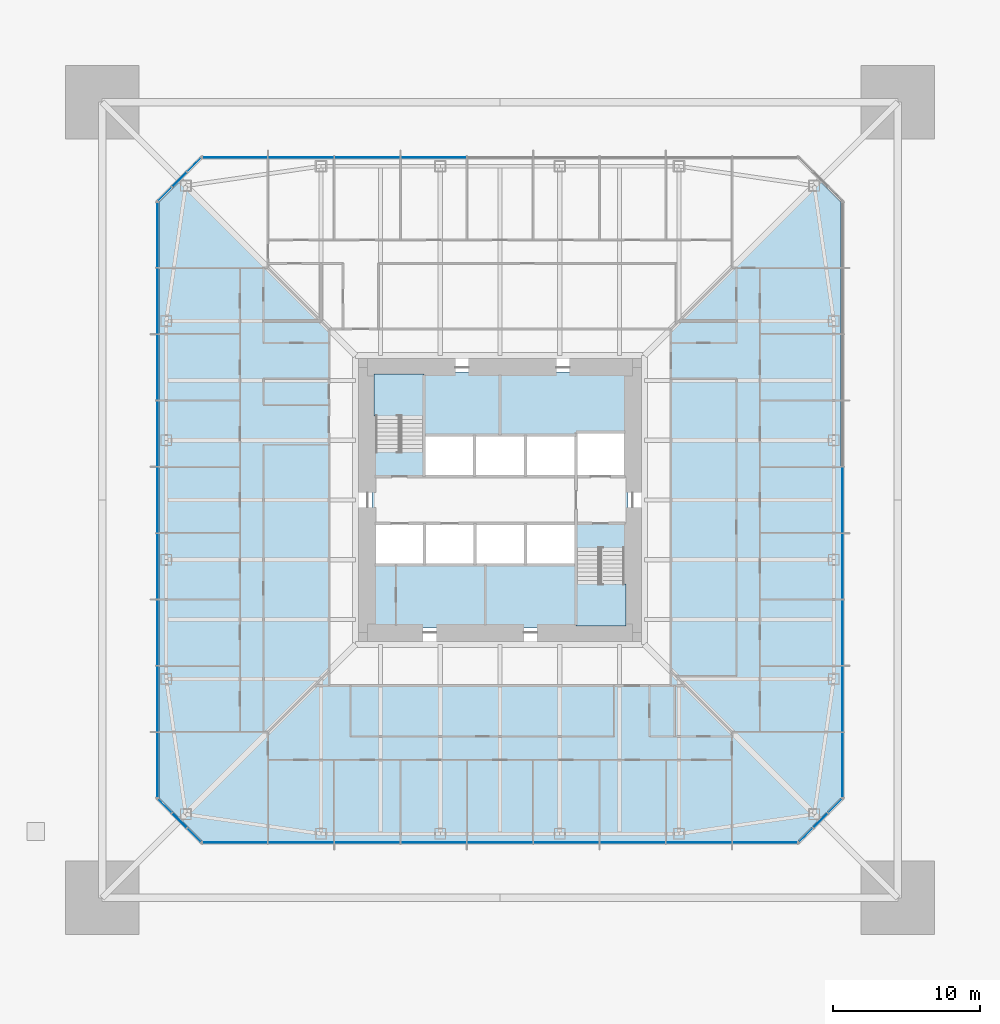
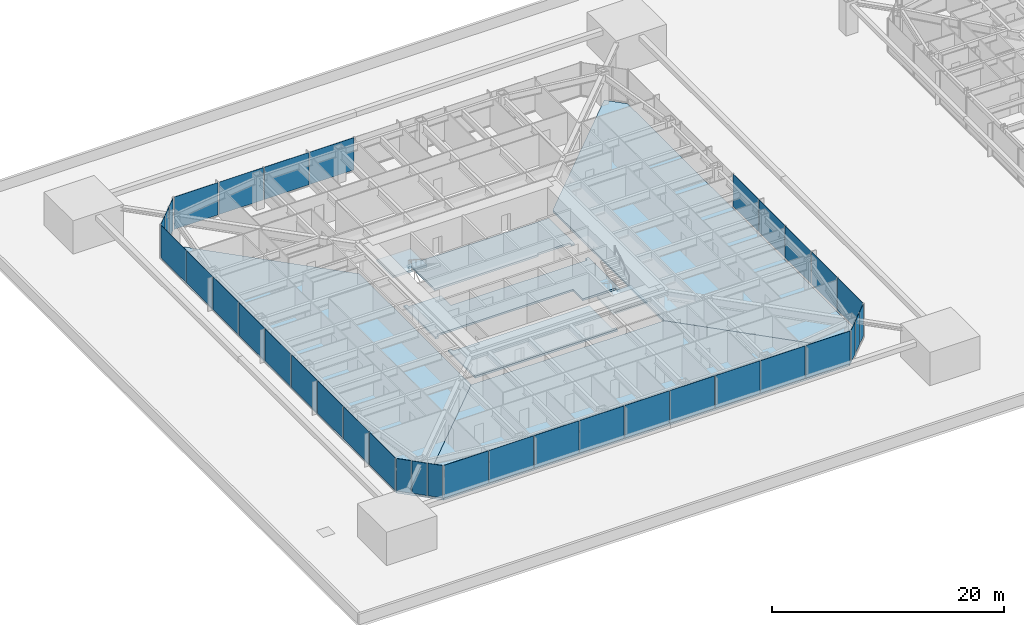
# One storey, part 13 of 31: 36 plates, 8 slabs, 9 elements without a shape of their own.
"""IFC4 building model written with IfcOpenShell, lengths in metres."""

import ifcopenshell
import ifcopenshell.guid

model = None  # the IFC model being written
_history = None  # IfcOwnerHistory: only IFC2X3 demands one
_inside = {}  # id of a spatial element -> (the spatial element, [elements in it])
_under = {}  # id of a project, library or spatial element -> (it, [spatial elements below it])
_declared = {}  # id of a project -> (the project, [libraries it declares])
_typed = {}  # id of a type object -> (the type object, [elements of that type])
_made_of = {}  # id of a material, layer set ... -> (it, [elements and type objects made of it])


def new_model(schema):
    """Start an empty IFC model of exactly this schema.

    Asked for "IFC4X3", IfcOpenShell would pick the latest addendum, in which some entities
    have other attributes; the version numbers below select the first issue.
    IFC2X3 requires an IfcOwnerHistory on every rooted entity: one is made here for all.
    """
    global model, _history
    if schema == "IFC4X3":
        model = ifcopenshell.file(schema_version=(4, 3, 0, 0))
    else:
        model = ifcopenshell.file(schema=schema)
    _inside.clear()
    _under.clear()
    _declared.clear()
    _typed.clear()
    _made_of.clear()
    _history = None
    if model.schema == "IFC2X3":
        org = make("IfcOrganization", Name="unknown")
        user = make(
            "IfcPersonAndOrganization",
            ThePerson=make("IfcPerson", FamilyName="unknown"),
            TheOrganization=org,
        )
        app = make(
            "IfcApplication",
            ApplicationDeveloper=org,
            Version="unknown",
            ApplicationFullName="unknown",
            ApplicationIdentifier="unknown",
        )
        _history = make(
            "IfcOwnerHistory",
            OwningUser=user,
            OwningApplication=app,
            ChangeAction="ADDED",
            CreationDate=0,
        )
    return model


def make(cls, **values):
    """One entity of the class cls with the attributes given. An attribute that is None is left unset."""
    return model.create_entity(
        cls, **{name: value for name, value in values.items() if value is not None}
    )


def rooted(cls, **values):
    """An entity with a GlobalId (a new one), such as an element, a storey or a relation."""
    return make(cls, GlobalId=ifcopenshell.guid.new(), OwnerHistory=_history, **values)


def si_unit(unit_type, name, prefix=None):
    """IfcSIUnit, for example si_unit("LENGTHUNIT", "METRE", prefix="MILLI")."""
    return make("IfcSIUnit", UnitType=unit_type, Prefix=prefix, Name=name)


def assignment(units):
    """IfcUnitAssignment: the units of a project."""
    return None if units is None else make("IfcUnitAssignment", Units=units)


def point(xyz):
    """IfcCartesianPoint."""
    return None if xyz is None else make("IfcCartesianPoint", Coordinates=xyz)


def direction(xyz):
    """IfcDirection."""
    return None if xyz is None else make("IfcDirection", DirectionRatios=xyz)


def frame(location, z_axis=None, x_axis=None):
    """IfcAxis2Placement3D, a coordinate frame: its origin and axes. An axis left out is left unset."""
    return make(
        "IfcAxis2Placement3D",
        Location=point(location),
        Axis=direction(z_axis),
        RefDirection=direction(x_axis),
    )


def frame_2d(location, x_axis=None):
    """IfcAxis2Placement2D, a coordinate frame in the plane: its origin and x axis."""
    return make(
        "IfcAxis2Placement2D", Location=point(location), RefDirection=direction(x_axis)
    )


def origin():
    """The frame at (0, 0, 0) with its axes left unset."""
    return frame((0.0, 0.0, 0.0))


def origin_2d():
    """The frame at (0, 0) in the plane with its x axis left unset."""
    return frame_2d((0.0, 0.0))


def place(relative_to, where):
    """IfcLocalPlacement: puts the frame where relative to a parent placement (None: the world)."""
    return make(
        "IfcLocalPlacement", PlacementRelTo=relative_to, RelativePlacement=where
    )


def context(
    kind, dimensions, precision=None, world=None, true_north=None, identifier=None
):
    """IfcGeometricRepresentationContext, for example the 3D "Model" context."""
    return make(
        "IfcGeometricRepresentationContext",
        ContextIdentifier=identifier,
        ContextType=kind,
        CoordinateSpaceDimension=dimensions,
        Precision=precision,
        WorldCoordinateSystem=world,
        TrueNorth=true_north,
    )


def subcontext(parent, identifier, kind, view, scale=None):
    """IfcGeometricRepresentationSubContext, for example "Body" below "Model"."""
    return make(
        "IfcGeometricRepresentationSubContext",
        ContextIdentifier=identifier,
        ContextType=kind,
        ParentContext=parent,
        TargetScale=scale,
        TargetView=view,
    )


def project(units=None, contexts=None):
    """IfcProject with its units and contexts."""
    return rooted(
        "IfcProject",
        Name="project",
        RepresentationContexts=contexts,
        UnitsInContext=assignment(units),
    )


def spatial(cls, under=None, at=None, **own):
    """A site, building, storey or space (cls), placed at a placement, below another one or the project."""
    s = rooted(cls, ObjectPlacement=at, **own)
    if under is not None:
        _under.setdefault(under.id(), (under, []))[1].append(s)
    return s


def polyline(points):
    """IfcPolyline through the points."""
    return make("IfcPolyline", Points=[point(p) for p in points])


def profile(cls, at=None, kind="AREA", **sizes):
    """A parametric profile (cls). Its sizes go by their IFC names, for example OverallWidth=200.0."""
    return make(cls, ProfileType=kind, Position=at, **sizes)


def rectangle(**sizes):
    """IfcRectangleProfileDef."""
    return profile("IfcRectangleProfileDef", **sizes)


def outline(outer, holes=None, kind="AREA"):
    """IfcArbitraryClosedProfileDef: a profile drawn as a closed curve; with holes, ...WithVoids."""
    if holes is None:
        return make("IfcArbitraryClosedProfileDef", ProfileType=kind, OuterCurve=outer)
    return make(
        "IfcArbitraryProfileDefWithVoids",
        ProfileType=kind,
        OuterCurve=outer,
        InnerCurves=holes,
    )


def extrude(swept, where, along, depth):
    """IfcExtrudedAreaSolid: the profile swept, set in the frame where, extruded along a direction by depth."""
    return make(
        "IfcExtrudedAreaSolid",
        SweptArea=swept,
        Position=where,
        ExtrudedDirection=direction(along),
        Depth=depth,
    )


def shape(context_of_items, identifier, shape_type, items):
    """IfcShapeRepresentation: the items that make up one representation, for example the "Body"."""
    return make(
        "IfcShapeRepresentation",
        ContextOfItems=context_of_items,
        RepresentationIdentifier=identifier,
        RepresentationType=shape_type,
        Items=items,
    )


def material(Name=None, Category=None):
    """IfcMaterial."""
    return make("IfcMaterial", Name=Name, Category=Category)


def layer(
    of_material, thickness, ventilated=None, Name=None, Category=None, Priority=None
):
    """IfcMaterialLayer: one layer of a wall or slab, of a material (None: an air gap)."""
    return make(
        "IfcMaterialLayer",
        Material=of_material,
        LayerThickness=thickness,
        IsVentilated=ventilated,
        Name=Name,
        Category=Category,
        Priority=Priority,
    )


def layer_set(layers, Name=None):
    """IfcMaterialLayerSet."""
    return make("IfcMaterialLayerSet", MaterialLayers=layers, LayerSetName=Name)


def constituent(of_material, Name=None, Category=None, fraction=None):
    """IfcMaterialConstituent: one of the materials an element consists of."""
    return make(
        "IfcMaterialConstituent",
        Name=Name,
        Material=of_material,
        Fraction=fraction,
        Category=Category,
    )


def constituent_set(constituents=None, Name=None):
    """IfcMaterialConstituentSet."""
    return make(
        "IfcMaterialConstituentSet", Name=Name, MaterialConstituents=constituents
    )


def made_of(thing, what):
    """Note that an element or type object is made of a material, layer set ...; save() writes the relation."""
    if what is not None:
        _made_of.setdefault(what.id(), (what, []))[1].append(thing)
    return thing


def type_object(cls, material=None, **own):
    """A type object (cls), such as IfcWallType, which elements share."""
    return made_of(rooted(cls, **own), material)


def element(
    cls,
    number,
    at=None,
    inside=None,
    cuts=None,
    type_object=None,
    material=None,
    context=None,
    identifier="Body",
    shape_type=None,
    held_by="IfcProductDefinitionShape",
    body=None,
    shapes=None,
    **own,
):
    """One element of the class cls, such as IfcWall. Its Tag is "e" and its number.

    at: its placement. inside: the storey or other place that contains it. cuts: it is an
    opening in that element (IfcRelVoidsElement). A single representation is given by context,
    identifier, shape_type and body (its items); several are given by shapes. held_by: the class
    of the entity that holds the representations. save() writes the other relations.
    """
    e = rooted(cls, Tag="e%d" % number, ObjectPlacement=at, **own)
    if body is not None:
        shapes = [shape(context, identifier, shape_type, body)]
    if shapes is not None:
        e.Representation = make(held_by, Representations=shapes)
    if inside is not None:
        _inside.setdefault(inside.id(), (inside, []))[1].append(e)
    if cuts is not None:
        rooted(
            "IfcRelVoidsElement", RelatingBuildingElement=cuts, RelatedOpeningElement=e
        )
    if type_object is not None:
        _typed.setdefault(type_object.id(), (type_object, []))[1].append(e)
    return made_of(e, material)


def aggregate(whole, parts):
    """IfcRelAggregates: a whole, such as a stair, and the parts it consists of."""
    return rooted("IfcRelAggregates", RelatingObject=whole, RelatedObjects=parts)


def save(model, path):
    """Write the relations noted so far, then the file.

    IfcRelAggregates (storeys below a building ...), IfcRelContainedInSpatialStructure (elements
    in a storey), IfcRelDefinesByType, IfcRelAssociatesMaterial and IfcRelDeclares: one each for
    every whole, place, type object, material and project.
    """
    for whole, parts in _under.values():
        aggregate(whole, parts)
    for where, things in _inside.values():
        rooted(
            "IfcRelContainedInSpatialStructure",
            RelatedElements=things,
            RelatingStructure=where,
        )
    for kind, things in _typed.values():
        rooted("IfcRelDefinesByType", RelatedObjects=things, RelatingType=kind)
    for what, things in _made_of.values():
        rooted("IfcRelAssociatesMaterial", RelatedObjects=things, RelatingMaterial=what)
    for by, libraries in _declared.values():
        rooted("IfcRelDeclares", RelatingContext=by, RelatedDefinitions=libraries)
    model.write(path)


model = new_model("IFC4")

# Units and contexts
model_context = context("Model", 3, precision=1e-05, world=origin(), true_north=direction((0.0, 1.0)))
body_context = subcontext(model_context, "Body", "Model", "MODEL_VIEW")
ifc_project = project(units=[si_unit("LENGTHUNIT", "METRE"), si_unit("AREAUNIT", "SQUARE_METRE"), si_unit("VOLUMEUNIT", "CUBIC_METRE"), si_unit("PLANEANGLEUNIT", "RADIAN"), si_unit("MASSUNIT", "GRAM", prefix="KILO")], contexts=[model_context])

# Site, building, storey
site_placement = place(None, origin())
site = spatial("IfcSite", under=ifc_project, at=site_placement, CompositionType="ELEMENT")
building_placement = place(site_placement, origin())
building = spatial("IfcBuilding", under=site, at=building_placement, Name="Iwan Alto Co-Living Towers", CompositionType="ELEMENT")
storey_placement = place(building_placement, frame((0.0, 0.0, 15.0)))
storey = spatial("IfcBuildingStorey", under=building, at=storey_placement, Name="L03", CompositionType="ELEMENT", Elevation=15.0)

# Slabs
ifc_material_1 = material(Name="Concrete f'c 30 MPa", Category="concrete")
ifc_layer_1 = layer(ifc_material_1, 0.199951171875)
ifc_layer_set_1 = layer_set([ifc_layer_1], Name="CORE FLOOR SLAB 200")
slab_type_1 = type_object("IfcSlabType", Name="CORE FLOOR SLAB 200", PredefinedType="FLOOR", material=ifc_layer_set_1)
slab_1_placement = place(storey_placement, frame((0.0, 0.0, -0.199951171875)))
element("IfcSlab", 1, at=slab_1_placement, inside=storey, type_object=slab_type_1, Name="T1 core floor L03", PredefinedType="FLOOR", context=body_context, shape_type="SweptSolid", body=[
    extrude(outline(polyline([(8.699951171875, -3.580078125), (8.39990234375, -3.580078125), (8.39990234375, -3.27001953125), (5.14990234375, -3.27001953125), (5.14990234375, -1.60009765625), (1.72509765625, -1.60009765625), (-1.699951171875, -1.60009765625), (-5.125, -1.60009765625), (-8.39990234375, -1.60009765625), (-8.39990234375, -1.909912109375), (-8.699951171875, -1.909912109375), (-8.699951171875, 3.580078125), (-8.39990234375, 3.580078125), (-8.39990234375, 3.27001953125), (-5.14990234375, 3.27001953125), (-5.14990234375, 1.60009765625), (-1.717041015625, 1.60009765625), (1.717041015625, 1.60009765625), (5.14990234375, 1.60009765625), (8.39990234375, 1.60009765625), (8.39990234375, 1.909912109375), (8.699951171875, 1.909912109375), (8.699951171875, -3.580078125)])), origin(), (0.0, 0.0, 1.0), 0.199951171875),
])
slab_2_placement = place(storey_placement, frame((0.0, 0.0, -0.199951171875)))
element("IfcSlab", 2, at=slab_2_placement, inside=storey, type_object=slab_type_1, Name="T1 core floor L03", PredefinedType="FLOOR", context=body_context, shape_type="SweptSolid", body=[
    extrude(outline(polyline([(-1.699951171875, -4.39990234375), (1.72509765625, -4.39990234375), (5.14990234375, -4.39990234375), (5.14990234375, -8.39990234375), (5.4599609375, -8.39990234375), (5.4599609375, -8.699951171875), (-8.699951171875, -8.699951171875), (-8.699951171875, -4.090087890625), (-8.39990234375, -4.090087890625), (-8.39990234375, -4.39990234375), (-5.125, -4.39990234375), (-1.699951171875, -4.39990234375)])), origin(), (0.0, 0.0, 1.0), 0.199951171875),
])
slab_3_placement = place(storey_placement, frame((0.0, 0.0, -0.199951171875)))
element("IfcSlab", 3, at=slab_3_placement, inside=storey, type_object=slab_type_1, Name="T1 core floor L03", PredefinedType="FLOOR", context=body_context, shape_type="SweptSolid", body=[
    extrude(outline(polyline([(1.717041015625, 4.39990234375), (-1.717041015625, 4.39990234375), (-5.14990234375, 4.39990234375), (-5.14990234375, 8.39990234375), (-5.4599609375, 8.39990234375), (-5.4599609375, 8.699951171875), (8.699951171875, 8.699951171875), (8.699951171875, 4.2900390625), (8.39990234375, 4.2900390625), (8.39990234375, 4.60009765625), (5.14990234375, 4.60009765625), (5.14990234375, 4.39990234375), (1.717041015625, 4.39990234375)])), origin(), (0.0, 0.0, 1.0), 0.199951171875),
])

# Curtain wall, plates
ifc_material_2 = material(Name="Bronze aluminium unitised frame", Category="aluminium")
curtain_wall_type_1 = type_object("IfcCurtainWallType", Name="CURTAIN WALL CW-A", PredefinedType="NOTDEFINED", material=ifc_material_2)
curtain_wall_1_placement = place(storey_placement, origin())
curtain_wall_1 = element("IfcCurtainWall", 4, at=curtain_wall_1_placement, inside=storey, type_object=curtain_wall_type_1, Name="T1 curtain wall S L03", PredefinedType="NOTDEFINED")
ifc_material_3 = material(Name="Bronze-tinted insulating glass", Category="glass")
ifc_layer_2 = layer(ifc_material_3, 0.031982421875)
ifc_layer_set_2 = layer_set([ifc_layer_2], Name="CW-A PANEL TINTED IGU 32")
plate_type_1 = type_object("IfcPlateType", Name="CW-A PANEL TINTED IGU 32", PredefinedType="CURTAIN_PANEL", material=ifc_layer_set_2)
plate_1_placement = place(storey_placement, frame((-17.97998046875, -23.25, 0.10009765625), z_axis=(0.0, 0.0, 1.0), x_axis=(1.0, 0.0, 0.0)))
plate_1 = element("IfcPlate", 5, at=plate_1_placement, type_object=plate_type_1, Name="CW-A panel 1.1", PredefinedType="CURTAIN_PANEL", context=body_context, shape_type="SweptSolid", body=[
    extrude(rectangle(XDim=4.3798828125, YDim=0.031982421875, at=origin_2d()), origin(), (0.0, 0.0, 1.0), 3.39990234375),
])
plate_2_placement = place(storey_placement, frame((-13.5, -23.25, 0.10009765625), z_axis=(0.0, 0.0, 1.0), x_axis=(1.0, 0.0, 0.0)))
plate_2 = element("IfcPlate", 6, at=plate_2_placement, type_object=plate_type_1, Name="CW-A panel 2.1", PredefinedType="CURTAIN_PANEL", context=body_context, shape_type="SweptSolid", body=[
    extrude(rectangle(XDim=4.419921875, YDim=0.031982421875, at=origin_2d()), origin(), (0.0, 0.0, 1.0), 3.39990234375),
])
plate_3_placement = place(storey_placement, frame((-9.0, -23.25, 0.10009765625), z_axis=(0.0, 0.0, 1.0), x_axis=(1.0, 0.0, 0.0)))
plate_3 = element("IfcPlate", 7, at=plate_3_placement, type_object=plate_type_1, Name="CW-A panel 3.1", PredefinedType="CURTAIN_PANEL", context=body_context, shape_type="SweptSolid", body=[
    extrude(rectangle(XDim=4.419921875, YDim=0.031982421875, at=origin_2d()), origin(), (0.0, 0.0, 1.0), 3.39990234375),
])
plate_4_placement = place(storey_placement, frame((-4.5, -23.25, 0.10009765625), z_axis=(0.0, 0.0, 1.0), x_axis=(1.0, 0.0, 0.0)))
plate_4 = element("IfcPlate", 8, at=plate_4_placement, type_object=plate_type_1, Name="CW-A panel 4.1", PredefinedType="CURTAIN_PANEL", context=body_context, shape_type="SweptSolid", body=[
    extrude(rectangle(XDim=4.419921875, YDim=0.031982421875, at=origin_2d()), origin(), (0.0, 0.0, 1.0), 3.39990234375),
])
plate_5_placement = place(storey_placement, frame((0.0, -23.25, 0.10009765625), z_axis=(0.0, 0.0, 1.0), x_axis=(1.0, 0.0, 0.0)))
plate_5 = element("IfcPlate", 9, at=plate_5_placement, type_object=plate_type_1, Name="CW-A panel 5.1", PredefinedType="CURTAIN_PANEL", context=body_context, shape_type="SweptSolid", body=[
    extrude(rectangle(XDim=4.419921875, YDim=0.031982421875, at=origin_2d()), origin(), (0.0, 0.0, 1.0), 3.39990234375),
])
plate_6_placement = place(storey_placement, frame((4.5, -23.25, 0.10009765625), z_axis=(0.0, 0.0, 1.0), x_axis=(1.0, 0.0, 0.0)))
plate_6 = element("IfcPlate", 10, at=plate_6_placement, type_object=plate_type_1, Name="CW-A panel 6.1", PredefinedType="CURTAIN_PANEL", context=body_context, shape_type="SweptSolid", body=[
    extrude(rectangle(XDim=4.419921875, YDim=0.031982421875, at=origin_2d()), origin(), (0.0, 0.0, 1.0), 3.39990234375),
])
plate_7_placement = place(storey_placement, frame((9.0, -23.25, 0.10009765625), z_axis=(0.0, 0.0, 1.0), x_axis=(1.0, 0.0, 0.0)))
plate_7 = element("IfcPlate", 11, at=plate_7_placement, type_object=plate_type_1, Name="CW-A panel 7.1", PredefinedType="CURTAIN_PANEL", context=body_context, shape_type="SweptSolid", body=[
    extrude(rectangle(XDim=4.419921875, YDim=0.031982421875, at=origin_2d()), origin(), (0.0, 0.0, 1.0), 3.39990234375),
])
plate_8_placement = place(storey_placement, frame((13.5, -23.25, 0.10009765625), z_axis=(0.0, 0.0, 1.0), x_axis=(1.0, 0.0, 0.0)))
plate_8 = element("IfcPlate", 12, at=plate_8_placement, type_object=plate_type_1, Name="CW-A panel 8.1", PredefinedType="CURTAIN_PANEL", context=body_context, shape_type="SweptSolid", body=[
    extrude(rectangle(XDim=4.419921875, YDim=0.031982421875, at=origin_2d()), origin(), (0.0, 0.0, 1.0), 3.39990234375),
])
plate_9_placement = place(storey_placement, frame((17.97998046875, -23.25, 0.10009765625), z_axis=(0.0, 0.0, 1.0), x_axis=(1.0, 0.0, 0.0)))
plate_9 = element("IfcPlate", 13, at=plate_9_placement, type_object=plate_type_1, Name="CW-A panel 9.1", PredefinedType="CURTAIN_PANEL", context=body_context, shape_type="SweptSolid", body=[
    extrude(rectangle(XDim=4.3798828125, YDim=0.031982421875, at=origin_2d()), origin(), (0.0, 0.0, 1.0), 3.39990234375),
])
aggregate(curtain_wall_1, [plate_1, plate_2, plate_3, plate_4, plate_5, plate_6, plate_7, plate_8, plate_9])

curtain_wall_2_placement = place(storey_placement, origin())
curtain_wall_2 = element("IfcCurtainWall", 14, at=curtain_wall_2_placement, inside=storey, type_object=curtain_wall_type_1, Name="T1 curtain wall E L03", PredefinedType="NOTDEFINED")
plate_10_placement = place(storey_placement, frame((23.25, -17.97998046875, 0.10009765625), z_axis=(0.0, 0.0, 1.0), x_axis=(0.0, 1.0, 0.0)))
plate_10 = element("IfcPlate", 15, at=plate_10_placement, type_object=plate_type_1, Name="CW-A panel 1.1", PredefinedType="CURTAIN_PANEL", context=body_context, shape_type="SweptSolid", body=[
    extrude(rectangle(XDim=4.3798828125, YDim=0.031982421875, at=origin_2d()), origin(), (0.0, 0.0, 1.0), 3.39990234375),
])
plate_11_placement = place(storey_placement, frame((23.25, -13.5, 0.10009765625), z_axis=(0.0, 0.0, 1.0), x_axis=(0.0, 1.0, 0.0)))
plate_11 = element("IfcPlate", 16, at=plate_11_placement, type_object=plate_type_1, Name="CW-A panel 2.1", PredefinedType="CURTAIN_PANEL", context=body_context, shape_type="SweptSolid", body=[
    extrude(rectangle(XDim=4.419921875, YDim=0.031982421875, at=origin_2d()), origin(), (0.0, 0.0, 1.0), 3.39990234375),
])
plate_12_placement = place(storey_placement, frame((23.25, -9.0, 0.10009765625), z_axis=(0.0, 0.0, 1.0), x_axis=(0.0, 1.0, 0.0)))
plate_12 = element("IfcPlate", 17, at=plate_12_placement, type_object=plate_type_1, Name="CW-A panel 3.1", PredefinedType="CURTAIN_PANEL", context=body_context, shape_type="SweptSolid", body=[
    extrude(rectangle(XDim=4.419921875, YDim=0.031982421875, at=origin_2d()), origin(), (0.0, 0.0, 1.0), 3.39990234375),
])
plate_13_placement = place(storey_placement, frame((23.25, -4.5, 0.10009765625), z_axis=(0.0, 0.0, 1.0), x_axis=(0.0, 1.0, 0.0)))
plate_13 = element("IfcPlate", 18, at=plate_13_placement, type_object=plate_type_1, Name="CW-A panel 4.1", PredefinedType="CURTAIN_PANEL", context=body_context, shape_type="SweptSolid", body=[
    extrude(rectangle(XDim=4.419921875, YDim=0.031982421875, at=origin_2d()), origin(), (0.0, 0.0, 1.0), 3.39990234375),
])
plate_14_placement = place(storey_placement, frame((23.25, 0.0, 0.10009765625), z_axis=(0.0, 0.0, 1.0), x_axis=(0.0, 1.0, 0.0)))
plate_14 = element("IfcPlate", 19, at=plate_14_placement, type_object=plate_type_1, Name="CW-A panel 5.1", PredefinedType="CURTAIN_PANEL", context=body_context, shape_type="SweptSolid", body=[
    extrude(rectangle(XDim=4.419921875, YDim=0.031982421875, at=origin_2d()), origin(), (0.0, 0.0, 1.0), 3.39990234375),
])
aggregate(curtain_wall_2, [plate_10, plate_11, plate_12, plate_13, plate_14])

curtain_wall_3_placement = place(storey_placement, origin())
curtain_wall_3 = element("IfcCurtainWall", 20, at=curtain_wall_3_placement, inside=storey, type_object=curtain_wall_type_1, Name="T1 curtain wall N L03", PredefinedType="NOTDEFINED")
plate_15_placement = place(storey_placement, frame((-4.5, 23.25, 0.10009765625), z_axis=(0.0, 0.0, 1.0), x_axis=(-1.0, 0.0, 0.0)))
plate_15 = element("IfcPlate", 21, at=plate_15_placement, type_object=plate_type_1, Name="CW-A panel 6.1", PredefinedType="CURTAIN_PANEL", context=body_context, shape_type="SweptSolid", body=[
    extrude(rectangle(XDim=4.419921875, YDim=0.031982421875, at=origin_2d()), origin(), (0.0, 0.0, 1.0), 3.39990234375),
])
plate_16_placement = place(storey_placement, frame((-9.0, 23.25, 0.10009765625), z_axis=(0.0, 0.0, 1.0), x_axis=(-1.0, 0.0, 0.0)))
plate_16 = element("IfcPlate", 22, at=plate_16_placement, type_object=plate_type_1, Name="CW-A panel 7.1", PredefinedType="CURTAIN_PANEL", context=body_context, shape_type="SweptSolid", body=[
    extrude(rectangle(XDim=4.419921875, YDim=0.031982421875, at=origin_2d()), origin(), (0.0, 0.0, 1.0), 3.39990234375),
])
plate_17_placement = place(storey_placement, frame((-13.5, 23.25, 0.10009765625), z_axis=(0.0, 0.0, 1.0), x_axis=(-1.0, 0.0, 0.0)))
plate_17 = element("IfcPlate", 23, at=plate_17_placement, type_object=plate_type_1, Name="CW-A panel 8.1", PredefinedType="CURTAIN_PANEL", context=body_context, shape_type="SweptSolid", body=[
    extrude(rectangle(XDim=4.419921875, YDim=0.031982421875, at=origin_2d()), origin(), (0.0, 0.0, 1.0), 3.39990234375),
])
plate_18_placement = place(storey_placement, frame((-17.97998046875, 23.25, 0.10009765625), z_axis=(0.0, 0.0, 1.0), x_axis=(-1.0, 0.0, 0.0)))
plate_18 = element("IfcPlate", 24, at=plate_18_placement, type_object=plate_type_1, Name="CW-A panel 9.1", PredefinedType="CURTAIN_PANEL", context=body_context, shape_type="SweptSolid", body=[
    extrude(rectangle(XDim=4.3798828125, YDim=0.031982421875, at=origin_2d()), origin(), (0.0, 0.0, 1.0), 3.39990234375),
])
aggregate(curtain_wall_3, [plate_15, plate_16, plate_17, plate_18])

curtain_wall_4_placement = place(storey_placement, origin())
curtain_wall_4 = element("IfcCurtainWall", 25, at=curtain_wall_4_placement, inside=storey, type_object=curtain_wall_type_1, Name="T1 curtain wall W L03", PredefinedType="NOTDEFINED")
plate_19_placement = place(storey_placement, frame((-23.25, 17.97998046875, 0.10009765625), z_axis=(0.0, 0.0, 1.0), x_axis=(0.0, -1.0, 0.0)))
plate_19 = element("IfcPlate", 26, at=plate_19_placement, type_object=plate_type_1, Name="CW-A panel 1.1", PredefinedType="CURTAIN_PANEL", context=body_context, shape_type="SweptSolid", body=[
    extrude(rectangle(XDim=4.3798828125, YDim=0.031982421875, at=origin_2d()), origin(), (0.0, 0.0, 1.0), 3.39990234375),
])
plate_20_placement = place(storey_placement, frame((-23.25, 13.5, 0.10009765625), z_axis=(0.0, 0.0, 1.0), x_axis=(0.0, -1.0, 0.0)))
plate_20 = element("IfcPlate", 27, at=plate_20_placement, type_object=plate_type_1, Name="CW-A panel 2.1", PredefinedType="CURTAIN_PANEL", context=body_context, shape_type="SweptSolid", body=[
    extrude(rectangle(XDim=4.419921875, YDim=0.031982421875, at=origin_2d()), origin(), (0.0, 0.0, 1.0), 3.39990234375),
])
plate_21_placement = place(storey_placement, frame((-23.25, 9.0, 0.10009765625), z_axis=(0.0, 0.0, 1.0), x_axis=(0.0, -1.0, 0.0)))
plate_21 = element("IfcPlate", 28, at=plate_21_placement, type_object=plate_type_1, Name="CW-A panel 3.1", PredefinedType="CURTAIN_PANEL", context=body_context, shape_type="SweptSolid", body=[
    extrude(rectangle(XDim=4.419921875, YDim=0.031982421875, at=origin_2d()), origin(), (0.0, 0.0, 1.0), 3.39990234375),
])
plate_22_placement = place(storey_placement, frame((-23.25, 4.5, 0.10009765625), z_axis=(0.0, 0.0, 1.0), x_axis=(0.0, -1.0, 0.0)))
plate_22 = element("IfcPlate", 29, at=plate_22_placement, type_object=plate_type_1, Name="CW-A panel 4.1", PredefinedType="CURTAIN_PANEL", context=body_context, shape_type="SweptSolid", body=[
    extrude(rectangle(XDim=4.419921875, YDim=0.031982421875, at=origin_2d()), origin(), (0.0, 0.0, 1.0), 3.39990234375),
])
plate_23_placement = place(storey_placement, frame((-23.25, 0.0, 0.10009765625), z_axis=(0.0, 0.0, 1.0), x_axis=(0.0, -1.0, 0.0)))
plate_23 = element("IfcPlate", 30, at=plate_23_placement, type_object=plate_type_1, Name="CW-A panel 5.1", PredefinedType="CURTAIN_PANEL", context=body_context, shape_type="SweptSolid", body=[
    extrude(rectangle(XDim=4.419921875, YDim=0.031982421875, at=origin_2d()), origin(), (0.0, 0.0, 1.0), 3.39990234375),
])
plate_24_placement = place(storey_placement, frame((-23.25, -4.5, 0.10009765625), z_axis=(0.0, 0.0, 1.0), x_axis=(0.0, -1.0, 0.0)))
plate_24 = element("IfcPlate", 31, at=plate_24_placement, type_object=plate_type_1, Name="CW-A panel 6.1", PredefinedType="CURTAIN_PANEL", context=body_context, shape_type="SweptSolid", body=[
    extrude(rectangle(XDim=4.419921875, YDim=0.031982421875, at=origin_2d()), origin(), (0.0, 0.0, 1.0), 3.39990234375),
])
plate_25_placement = place(storey_placement, frame((-23.25, -9.0, 0.10009765625), z_axis=(0.0, 0.0, 1.0), x_axis=(0.0, -1.0, 0.0)))
plate_25 = element("IfcPlate", 32, at=plate_25_placement, type_object=plate_type_1, Name="CW-A panel 7.1", PredefinedType="CURTAIN_PANEL", context=body_context, shape_type="SweptSolid", body=[
    extrude(rectangle(XDim=4.419921875, YDim=0.031982421875, at=origin_2d()), origin(), (0.0, 0.0, 1.0), 3.39990234375),
])
plate_26_placement = place(storey_placement, frame((-23.25, -13.5, 0.10009765625), z_axis=(0.0, 0.0, 1.0), x_axis=(0.0, -1.0, 0.0)))
plate_26 = element("IfcPlate", 33, at=plate_26_placement, type_object=plate_type_1, Name="CW-A panel 8.1", PredefinedType="CURTAIN_PANEL", context=body_context, shape_type="SweptSolid", body=[
    extrude(rectangle(XDim=4.419921875, YDim=0.031982421875, at=origin_2d()), origin(), (0.0, 0.0, 1.0), 3.39990234375),
])
plate_27_placement = place(storey_placement, frame((-23.25, -17.97998046875, 0.10009765625), z_axis=(0.0, 0.0, 1.0), x_axis=(0.0, -1.0, 0.0)))
plate_27 = element("IfcPlate", 34, at=plate_27_placement, type_object=plate_type_1, Name="CW-A panel 9.1", PredefinedType="CURTAIN_PANEL", context=body_context, shape_type="SweptSolid", body=[
    extrude(rectangle(XDim=4.3798828125, YDim=0.031982421875, at=origin_2d()), origin(), (0.0, 0.0, 1.0), 3.39990234375),
])
aggregate(curtain_wall_4, [plate_19, plate_20, plate_21, plate_22, plate_23, plate_24, plate_25, plate_26, plate_27])

ifc_material_4 = material(Name="Bronze aluminium unitised frame", Category="aluminium")
curtain_wall_type_2 = type_object("IfcCurtainWallType", Name="CURTAIN WALL CW-B", PredefinedType="NOTDEFINED", material=ifc_material_4)
curtain_wall_5_placement = place(storey_placement, origin())
curtain_wall_5 = element("IfcCurtainWall", 35, at=curtain_wall_5_placement, inside=storey, type_object=curtain_wall_type_2, Name="T1 chamfer curtain wall SE L03", PredefinedType="NOTDEFINED")
ifc_material_5 = material(Name="Bronze-tinted insulating glass", Category="glass")
ifc_layer_3 = layer(ifc_material_5, 0.031982421875)
ifc_layer_set_3 = layer_set([ifc_layer_3], Name="CW-B PANEL TINTED IGU 32")
plate_type_2 = type_object("IfcPlateType", Name="CW-B PANEL TINTED IGU 32", PredefinedType="CURTAIN_PANEL", material=ifc_layer_set_3)
plate_28_placement = place(storey_placement, frame((20.76416015625, -22.73583984375, 0.10009765625), z_axis=(0.0, 0.0, 1.0), x_axis=(0.707106781187, 0.707106781187, 0.0)))
plate_28 = element("IfcPlate", 36, at=plate_28_placement, type_object=plate_type_2, Name="CW-B panel 1.1", PredefinedType="CURTAIN_PANEL", context=body_context, shape_type="SweptSolid", body=[
    extrude(rectangle(XDim=1.294189453125, YDim=0.031982421875, at=origin_2d()), origin(), (0.0, 0.0, 1.0), 3.39990234375),
])
plate_29_placement = place(storey_placement, frame((21.75, -21.75, 0.10009765625), z_axis=(0.0, 0.0, 1.0), x_axis=(0.707106781187, 0.707106781187, 0.0)))
plate_29 = element("IfcPlate", 37, at=plate_29_placement, type_object=plate_type_2, Name="CW-B panel 2.1", PredefinedType="CURTAIN_PANEL", context=body_context, shape_type="SweptSolid", body=[
    extrude(rectangle(XDim=1.334228515625, YDim=0.031982421875, at=origin_2d()), origin(), (0.0, 0.0, 1.0), 3.39990234375),
])
plate_30_placement = place(storey_placement, frame((22.73583984375, -20.76416015625, 0.10009765625), z_axis=(0.0, 0.0, 1.0), x_axis=(0.707106781187, 0.707106781187, 0.0)))
plate_30 = element("IfcPlate", 38, at=plate_30_placement, type_object=plate_type_2, Name="CW-B panel 3.1", PredefinedType="CURTAIN_PANEL", context=body_context, shape_type="SweptSolid", body=[
    extrude(rectangle(XDim=1.294189453125, YDim=0.031982421875, at=origin_2d()), origin(), (0.0, 0.0, 1.0), 3.39990234375),
])
aggregate(curtain_wall_5, [plate_28, plate_29, plate_30])

curtain_wall_6_placement = place(storey_placement, origin())
curtain_wall_6 = element("IfcCurtainWall", 39, at=curtain_wall_6_placement, inside=storey, type_object=curtain_wall_type_2, Name="T1 chamfer curtain wall NW L03", PredefinedType="NOTDEFINED")
plate_31_placement = place(storey_placement, frame((-20.76416015625, 22.73583984375, 0.10009765625), z_axis=(0.0, 0.0, 1.0), x_axis=(-0.707106781187, -0.707106781187, 0.0)))
plate_31 = element("IfcPlate", 40, at=plate_31_placement, type_object=plate_type_2, Name="CW-B panel 1.1", PredefinedType="CURTAIN_PANEL", context=body_context, shape_type="SweptSolid", body=[
    extrude(rectangle(XDim=1.294189453125, YDim=0.031982421875, at=origin_2d()), origin(), (0.0, 0.0, 1.0), 3.39990234375),
])
plate_32_placement = place(storey_placement, frame((-21.75, 21.75, 0.10009765625), z_axis=(0.0, 0.0, 1.0), x_axis=(-0.707106781187, -0.707106781187, 0.0)))
plate_32 = element("IfcPlate", 41, at=plate_32_placement, type_object=plate_type_2, Name="CW-B panel 2.1", PredefinedType="CURTAIN_PANEL", context=body_context, shape_type="SweptSolid", body=[
    extrude(rectangle(XDim=1.334228515625, YDim=0.031982421875, at=origin_2d()), origin(), (0.0, 0.0, 1.0), 3.39990234375),
])
plate_33_placement = place(storey_placement, frame((-22.73583984375, 20.76416015625, 0.10009765625), z_axis=(0.0, 0.0, 1.0), x_axis=(-0.707106781187, -0.707106781187, 0.0)))
plate_33 = element("IfcPlate", 42, at=plate_33_placement, type_object=plate_type_2, Name="CW-B panel 3.1", PredefinedType="CURTAIN_PANEL", context=body_context, shape_type="SweptSolid", body=[
    extrude(rectangle(XDim=1.294189453125, YDim=0.031982421875, at=origin_2d()), origin(), (0.0, 0.0, 1.0), 3.39990234375),
])
aggregate(curtain_wall_6, [plate_31, plate_32, plate_33])

curtain_wall_7_placement = place(storey_placement, origin())
curtain_wall_7 = element("IfcCurtainWall", 43, at=curtain_wall_7_placement, inside=storey, type_object=curtain_wall_type_2, Name="T1 chamfer curtain wall SW L03", PredefinedType="NOTDEFINED")
plate_34_placement = place(storey_placement, frame((-22.73583984375, -20.76416015625, 0.10009765625), z_axis=(0.0, 0.0, 1.0), x_axis=(0.707106781187, -0.707106781187, 0.0)))
plate_34 = element("IfcPlate", 44, at=plate_34_placement, type_object=plate_type_2, Name="CW-B panel 1.1", PredefinedType="CURTAIN_PANEL", context=body_context, shape_type="SweptSolid", body=[
    extrude(rectangle(XDim=1.294189453125, YDim=0.031982421875, at=origin_2d()), origin(), (0.0, 0.0, 1.0), 3.39990234375),
])
plate_35_placement = place(storey_placement, frame((-21.75, -21.75, 0.10009765625), z_axis=(0.0, 0.0, 1.0), x_axis=(0.707106781187, -0.707106781187, 0.0)))
plate_35 = element("IfcPlate", 45, at=plate_35_placement, type_object=plate_type_2, Name="CW-B panel 2.1", PredefinedType="CURTAIN_PANEL", context=body_context, shape_type="SweptSolid", body=[
    extrude(rectangle(XDim=1.334228515625, YDim=0.031982421875, at=origin_2d()), origin(), (0.0, 0.0, 1.0), 3.39990234375),
])
plate_36_placement = place(storey_placement, frame((-20.76416015625, -22.73583984375, 0.10009765625), z_axis=(0.0, 0.0, 1.0), x_axis=(0.707106781187, -0.707106781187, 0.0)))
plate_36 = element("IfcPlate", 46, at=plate_36_placement, type_object=plate_type_2, Name="CW-B panel 3.1", PredefinedType="CURTAIN_PANEL", context=body_context, shape_type="SweptSolid", body=[
    extrude(rectangle(XDim=1.294189453125, YDim=0.031982421875, at=origin_2d()), origin(), (0.0, 0.0, 1.0), 3.39990234375),
])
aggregate(curtain_wall_7, [plate_34, plate_35, plate_36])

# Stair, slab
ifc_material_6 = material(Name="Steel ASTM A36", Category="steel")
ifc_constituent_1 = constituent(ifc_material_6, Name="Stringers", Category="LoadBearing")
ifc_material_7 = material(Name="Concrete f'c 30 MPa", Category="concrete")
ifc_constituent_2 = constituent(ifc_material_7, Name="Tread fill", Category="Finish")
ifc_constituent_set = constituent_set(constituents=[ifc_constituent_1, ifc_constituent_2], Name="STAIR 3500 TWO-FLIGHT T1 CORE")
stair_type = type_object("IfcStairType", Name="STAIR 3500 TWO-FLIGHT T1 CORE", PredefinedType="HALF_TURN_STAIR", material=ifc_constituent_set)
stair_1_placement = place(storey_placement, origin())
stair_1 = element("IfcStair", 47, at=stair_1_placement, inside=storey, type_object=stair_type, Name="Stair T1-S1 L03 to L04", PredefinedType="HALF_TURN_STAIR")
ifc_material_8 = material(Name="Concrete f'c 30 MPa", Category="concrete")
ifc_layer_4 = layer(ifc_material_8, 0.199951171875)
ifc_layer_set_4 = layer_set([ifc_layer_4], Name="STAIR LANDING 200")
slab_type_2 = type_object("IfcSlabType", Name="STAIR LANDING 200", PredefinedType="LANDING", material=ifc_layer_set_4)
slab_4_placement = place(storey_placement, frame((0.0, 0.0, 1.550048828125)))
slab_4 = element("IfcSlab", 48, at=slab_4_placement, type_object=slab_type_2, Name="T1-S1 landing 1", PredefinedType="LANDING", context=body_context, shape_type="SweptSolid", body=[
    extrude(outline(polyline([(-8.550048828125, 5.68994140625), (-8.550048828125, 8.550048828125), (-5.14990234375, 8.550048828125), (-5.14990234375, 5.68994140625), (-8.550048828125, 5.68994140625)])), origin(), (0.0, 0.0, 1.0), 0.199951171875),
])
aggregate(stair_1, [slab_4])

stair_2_placement = place(storey_placement, origin())
stair_2 = element("IfcStair", 49, at=stair_2_placement, inside=storey, type_object=stair_type, Name="Stair T1-S2 L03 to L04", PredefinedType="HALF_TURN_STAIR")
slab_5_placement = place(storey_placement, frame((0.0, 0.0, 1.550048828125)))
slab_5 = element("IfcSlab", 50, at=slab_5_placement, type_object=slab_type_2, Name="T1-S2 landing 1", PredefinedType="LANDING", context=body_context, shape_type="SweptSolid", body=[
    extrude(outline(polyline([(5.14990234375, -5.68994140625), (5.14990234375, -8.550048828125), (8.550048828125, -8.550048828125), (8.550048828125, -5.68994140625), (5.14990234375, -5.68994140625)])), origin(), (0.0, 0.0, 1.0), 0.199951171875),
])
aggregate(stair_2, [slab_5])

# Slabs
ifc_material_9 = material(Name="Concrete f'c 30 MPa", Category="concrete")
ifc_layer_5 = layer(ifc_material_9, 0.22998046875)
ifc_layer_set_5 = layer_set([ifc_layer_5], Name="T1 FLOOR SLAB 230")
slab_type_3 = type_object("IfcSlabType", Name="T1 FLOOR SLAB 230", PredefinedType="FLOOR", material=ifc_layer_set_5)
slab_6_placement = place(storey_placement, frame((0.0, 0.0, -0.22998046875)))
element("IfcSlab", 51, at=slab_6_placement, inside=storey, type_object=slab_type_3, Name="T1 floor slab L03 S pour", PredefinedType="FLOOR", context=body_context, shape_type="SweptSolid", body=[
    extrude(outline(polyline([(20.19140625, -23.14990234375), (-20.19140625, -23.14990234375), (-21.670654296875, -21.670654296875), (-9.60009765625, -9.60009765625), (9.60009765625, -9.60009765625), (21.670654296875, -21.670654296875), (20.19140625, -23.14990234375)])), origin(), (0.0, 0.0, 1.0), 0.22998046875),
])
slab_7_placement = place(storey_placement, frame((0.0, 0.0, -0.22998046875)))
element("IfcSlab", 52, at=slab_7_placement, inside=storey, type_object=slab_type_3, Name="T1 floor slab L03 E pour", PredefinedType="FLOOR", context=body_context, shape_type="SweptSolid", body=[
    extrude(outline(polyline([(23.14990234375, 20.19140625), (23.14990234375, -20.19140625), (21.670654296875, -21.670654296875), (9.60009765625, -9.60009765625), (9.60009765625, 9.60009765625), (21.670654296875, 21.670654296875), (23.14990234375, 20.19140625)])), origin(), (0.0, 0.0, 1.0), 0.22998046875),
])
slab_8_placement = place(storey_placement, frame((0.0, 0.0, -0.22998046875)))
element("IfcSlab", 53, at=slab_8_placement, inside=storey, type_object=slab_type_3, Name="T1 floor slab L03 W pour", PredefinedType="FLOOR", context=body_context, shape_type="SweptSolid", body=[
    extrude(outline(polyline([(-23.14990234375, 20.19140625), (-21.670654296875, 21.670654296875), (-9.60009765625, 9.60009765625), (-9.60009765625, -9.60009765625), (-21.670654296875, -21.670654296875), (-23.14990234375, -20.19140625), (-23.14990234375, 20.19140625)])), origin(), (0.0, 0.0, 1.0), 0.22998046875),
])

save(model, "model.ifc")
